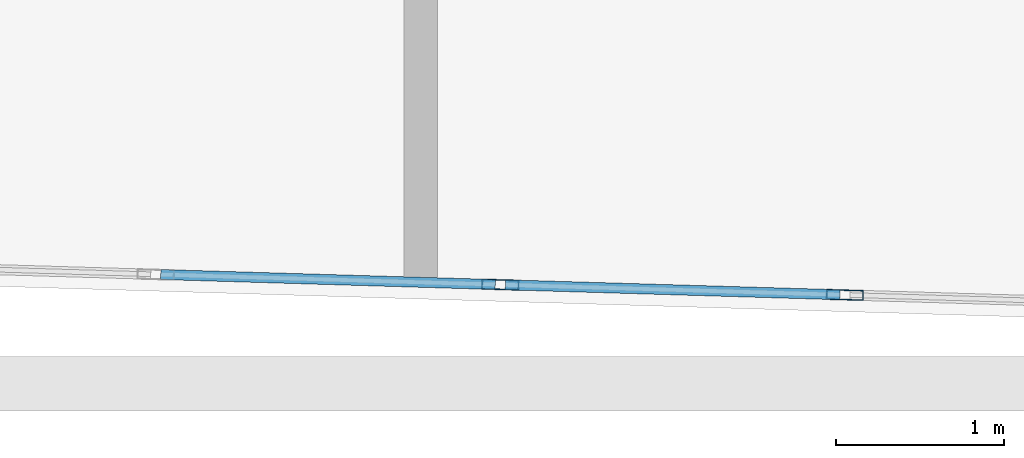
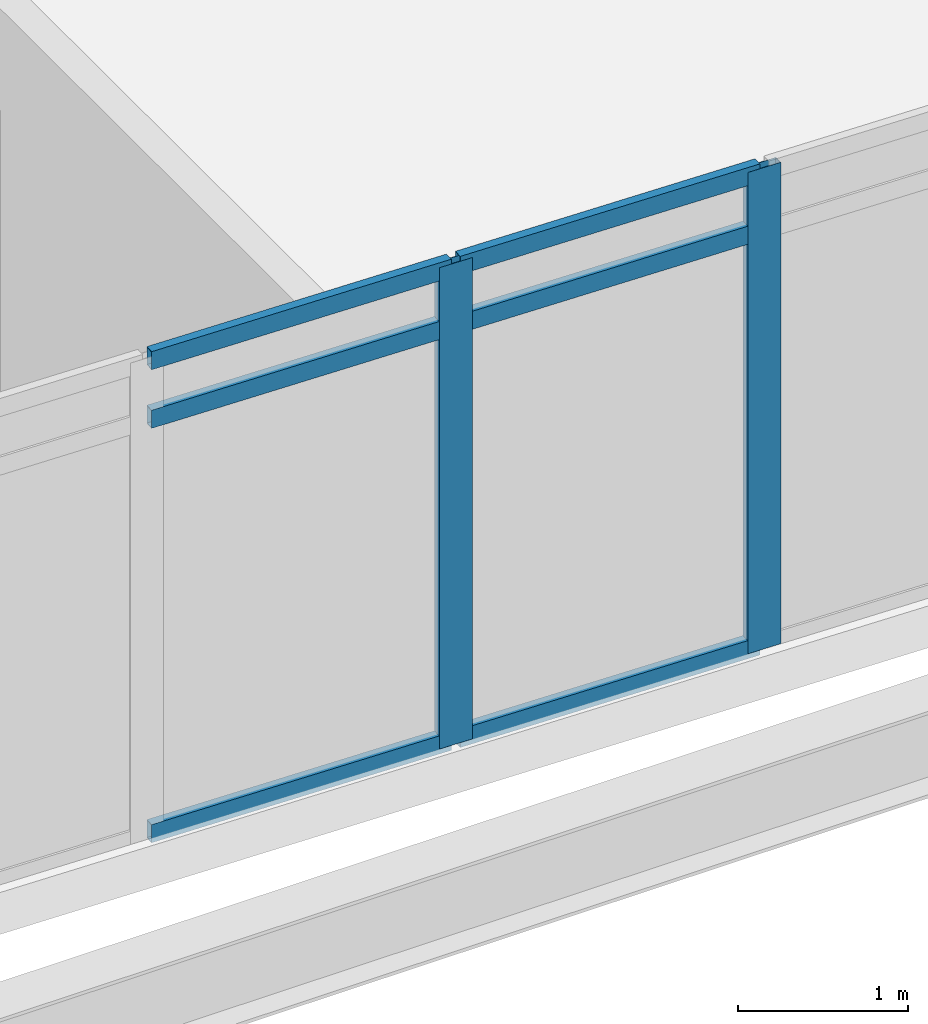
# One storey, part 3 of 38: 8 members, 1 element without a shape of its own.
"""IFC4 building model written with IfcOpenShell, lengths in metres."""

from ifc_helpers import new_model, si_unit, direction, frame, origin, origin_2d, place, context, subcontext, project, spatial, hollow_rectangle, extrude, material, material_profile, profile_set, type_object, element, aggregate, save


model = new_model("IFC4")

# Units and contexts
model_context = context("Model", 3, precision=1e-05, world=origin(), true_north=direction((0.0, 1.0)))
body_context = subcontext(model_context, "Body", "Model", "MODEL_VIEW")
ifc_project = project(units=[si_unit("LENGTHUNIT", "METRE"), si_unit("AREAUNIT", "SQUARE_METRE"), si_unit("VOLUMEUNIT", "CUBIC_METRE"), si_unit("PLANEANGLEUNIT", "RADIAN"), si_unit("MASSUNIT", "GRAM", prefix="KILO")], contexts=[model_context])

# Site, building, storey
site_placement = place(None, origin())
site = spatial("IfcSite", under=ifc_project, at=site_placement, CompositionType="ELEMENT")
building_placement = place(site_placement, origin())
building = spatial("IfcBuilding", under=site, at=building_placement, Name="Ostrander Bayou Hotel Tower", CompositionType="ELEMENT")
storey_placement = place(building_placement, frame((0.0, 0.0, 96.75)))
storey = spatial("IfcBuildingStorey", under=building, at=storey_placement, Name="L24", CompositionType="ELEMENT", Elevation=96.75)

# Curtain wall, members
ifc_material_1 = material(Name="Aluminium and clear glass", Category="aluminium")
curtain_wall_type = type_object("IfcCurtainWallType", Name="CW-BAR glazed wall", PredefinedType="NOTDEFINED", material=ifc_material_1)
curtain_wall_placement = place(storey_placement, origin())
curtain_wall = element("IfcCurtainWall", 1, at=curtain_wall_placement, inside=storey, type_object=curtain_wall_type, Name="CW-BAR L24:SB2S:T", PredefinedType="NOTDEFINED")
ifc_material_2 = material(Name="Aluminium", Category="aluminium")
ifc_material_profile_1 = material_profile(ifc_material_2, hollow_rectangle(XDim=0.06005859375, YDim=0.219970703125, WallThickness=0.00390625, at=origin_2d()))
ifc_profile_set_1 = profile_set([ifc_material_profile_1], Name="Aluminium")
member_type_1 = type_object("IfcMemberType", Name="CW-BR mullion 60 x 220 mm", PredefinedType="MULLION", material=ifc_profile_set_1)
member_1_placement = place(storey_placement, frame((-3.084716796875, -31.608154296875, 0.0), z_axis=(0.0, 0.0, 1.0), x_axis=(0.029746242041, 0.999557482631, 0.0)))
member_1 = element("IfcMember", 2, at=member_1_placement, type_object=member_type_1, Name="CW-BAR mullion 6", PredefinedType="MULLION", context=body_context, shape_type="SweptSolid", body=[
    extrude(hollow_rectangle(XDim=0.06005859375, YDim=0.219970703125, WallThickness=0.00390625, at=origin_2d()), origin(), (0.0, 0.0, 1.0), 3.449951171875),
])
member_2_placement = place(storey_placement, frame((-1.0283203125, -31.66943359375, 0.0), z_axis=(0.0, 0.0, 1.0), x_axis=(0.029746242041, 0.999557482631, 0.0)))
member_2 = element("IfcMember", 3, at=member_2_placement, type_object=member_type_1, Name="CW-BAR mullion 7", PredefinedType="MULLION", context=body_context, shape_type="SweptSolid", body=[
    extrude(hollow_rectangle(XDim=0.06005859375, YDim=0.219970703125, WallThickness=0.00390625, at=origin_2d()), origin(), (0.0, 0.0, 1.0), 3.449951171875),
])
ifc_material_3 = material(Name="Aluminium", Category="aluminium")
ifc_material_profile_2 = material_profile(ifc_material_3, hollow_rectangle(XDim=0.06005859375, YDim=0.1298828125, WallThickness=0.00390625, at=origin_2d()))
ifc_profile_set_2 = profile_set([ifc_material_profile_2], Name="Aluminium")
member_type_2 = type_object("IfcMemberType", Name="CW-BR transom 60 x 130 mm", PredefinedType="USERDEFINED", material=ifc_profile_set_2)
member_3_placement = place(storey_placement, frame((-5.111328125, -31.5478515625, 0.030029296875), z_axis=(0.999555199151, -0.029822874614, 0.0), x_axis=(0.029822874614, 0.999555199151, 0.0)))
member_3 = element("IfcMember", 4, at=member_3_placement, type_object=member_type_2, Name="CW-BAR transom 5.1", ObjectType="TRANSOM", PredefinedType="USERDEFINED", context=body_context, shape_type="SweptSolid", body=[
    extrude(hollow_rectangle(XDim=0.06005859375, YDim=0.1298828125, WallThickness=0.00390625, at=origin_2d()), origin(), (0.0, 0.0, 1.0), 1.99755859375),
])
member_4_placement = place(storey_placement, frame((-5.111328125, -31.5478515625, 3.0), z_axis=(0.999555199151, -0.029822874614, 0.0), x_axis=(0.029822874614, 0.999555199151, 0.0)))
member_4 = element("IfcMember", 5, at=member_4_placement, type_object=member_type_2, Name="CW-BAR transom 5.2", ObjectType="TRANSOM", PredefinedType="USERDEFINED", context=body_context, shape_type="SweptSolid", body=[
    extrude(hollow_rectangle(XDim=0.06005859375, YDim=0.1298828125, WallThickness=0.00390625, at=origin_2d()), origin(), (0.0, 0.0, 1.0), 1.99755859375),
])
member_5_placement = place(storey_placement, frame((-5.111328125, -31.5478515625, 3.419921875), z_axis=(0.999555199151, -0.029822874614, 0.0), x_axis=(0.029822874614, 0.999555199151, 0.0)))
member_5 = element("IfcMember", 6, at=member_5_placement, type_object=member_type_2, Name="CW-BAR transom 5.3", ObjectType="TRANSOM", PredefinedType="USERDEFINED", context=body_context, shape_type="SweptSolid", body=[
    extrude(hollow_rectangle(XDim=0.06005859375, YDim=0.1298828125, WallThickness=0.00390625, at=origin_2d()), origin(), (0.0, 0.0, 1.0), 1.99755859375),
])
member_6_placement = place(storey_placement, frame((-3.0546875, -31.609130859375, 0.030029296875), z_axis=(0.999558727342, -0.029704386785, 0.0), x_axis=(0.029704386785, 0.999558727342, 0.0)))
member_6 = element("IfcMember", 7, at=member_6_placement, type_object=member_type_2, Name="CW-BAR transom 6.1", ObjectType="TRANSOM", PredefinedType="USERDEFINED", context=body_context, shape_type="SweptSolid", body=[
    extrude(hollow_rectangle(XDim=0.06005859375, YDim=0.1298828125, WallThickness=0.00390625, at=origin_2d()), origin(), (0.0, 0.0, 1.0), 1.997314453125),
])
member_7_placement = place(storey_placement, frame((-3.0546875, -31.609130859375, 3.0), z_axis=(0.999558727342, -0.029704386785, 0.0), x_axis=(0.029704386785, 0.999558727342, 0.0)))
member_7 = element("IfcMember", 8, at=member_7_placement, type_object=member_type_2, Name="CW-BAR transom 6.2", ObjectType="TRANSOM", PredefinedType="USERDEFINED", context=body_context, shape_type="SweptSolid", body=[
    extrude(hollow_rectangle(XDim=0.06005859375, YDim=0.1298828125, WallThickness=0.00390625, at=origin_2d()), origin(), (0.0, 0.0, 1.0), 1.997314453125),
])
member_8_placement = place(storey_placement, frame((-3.0546875, -31.609130859375, 3.419921875), z_axis=(0.999558727342, -0.029704386785, 0.0), x_axis=(0.029704386785, 0.999558727342, 0.0)))
member_8 = element("IfcMember", 9, at=member_8_placement, type_object=member_type_2, Name="CW-BAR transom 6.3", ObjectType="TRANSOM", PredefinedType="USERDEFINED", context=body_context, shape_type="SweptSolid", body=[
    extrude(hollow_rectangle(XDim=0.06005859375, YDim=0.1298828125, WallThickness=0.00390625, at=origin_2d()), origin(), (0.0, 0.0, 1.0), 1.997314453125),
])
aggregate(curtain_wall, [member_1, member_2, member_3, member_4, member_5, member_6, member_7, member_8])

save(model, "model.ifc")
